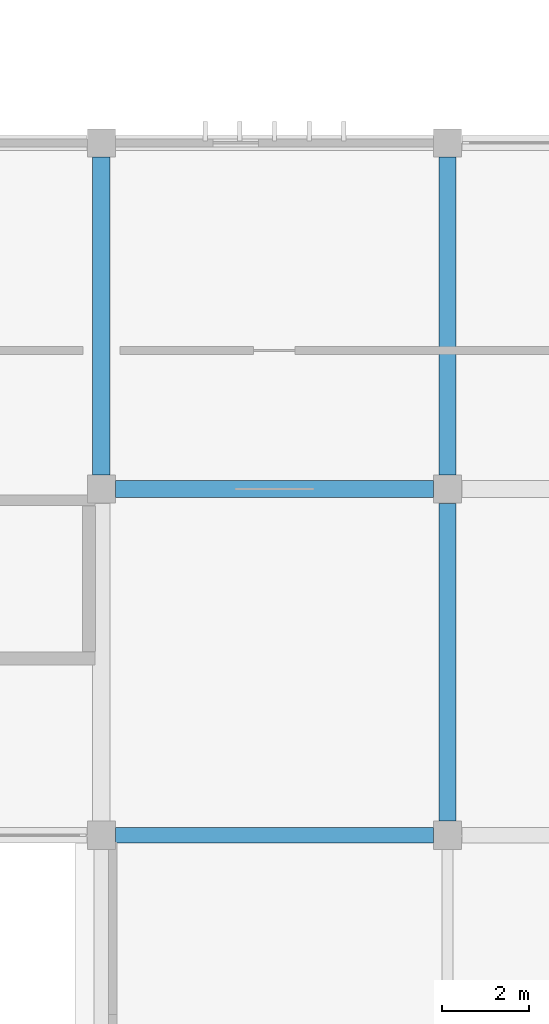
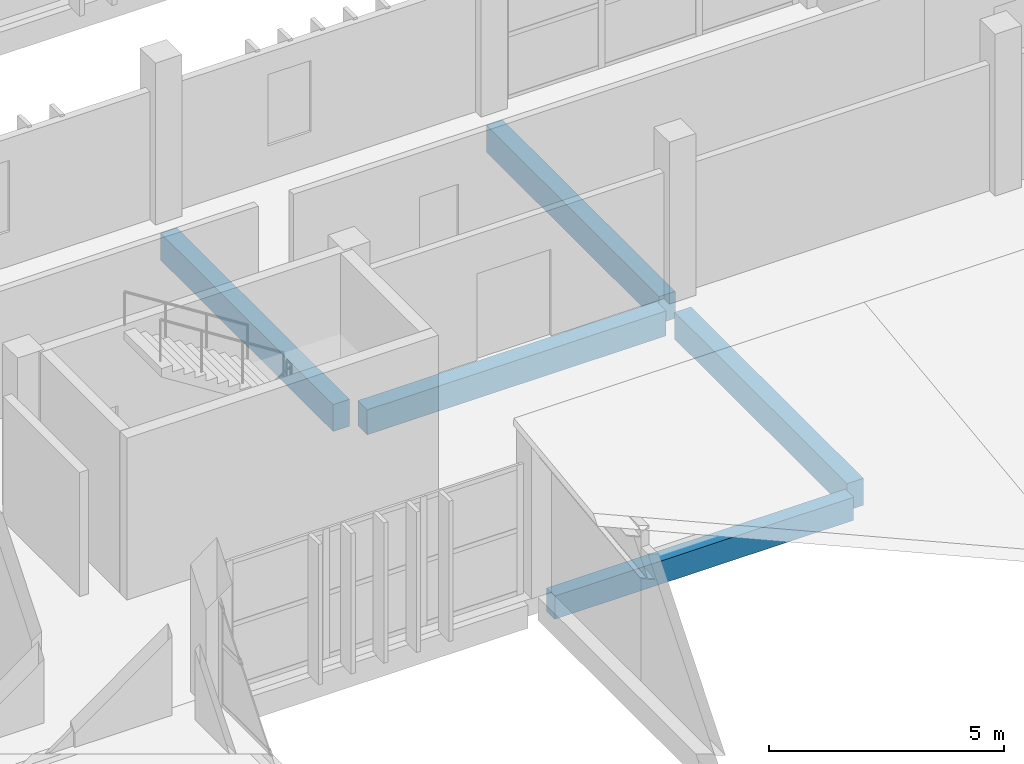
# One storey, part 45 of 83: 5 beams.
"""IFC4 building model written with IfcOpenShell, lengths in metres."""

from ifc_helpers import new_model, si_unit, direction, frame, origin, origin_2d, place, context, subcontext, project, spatial, rectangle, extrude, material, material_profile, profile_set, type_object, element, save


model = new_model("IFC4")

# Units and contexts
model_context = context("Model", 3, precision=1e-05, world=origin(), true_north=direction((0.0, 1.0)))
body_context = subcontext(model_context, "Body", "Model", "MODEL_VIEW")
ifc_project = project(units=[si_unit("LENGTHUNIT", "METRE"), si_unit("AREAUNIT", "SQUARE_METRE"), si_unit("VOLUMEUNIT", "CUBIC_METRE"), si_unit("PLANEANGLEUNIT", "RADIAN"), si_unit("MASSUNIT", "GRAM", prefix="KILO")], contexts=[model_context])

# Site, building, storey
site_placement = place(None, origin())
site = spatial("IfcSite", under=ifc_project, at=site_placement, CompositionType="ELEMENT")
building_placement = place(site_placement, origin())
building = spatial("IfcBuilding", under=site, at=building_placement, Name="Jelvoka-Kovrelna Polytechnic", CompositionType="ELEMENT")
storey_placement = place(building_placement, frame((0.0, 0.0, 13.800048828125)))
storey = spatial("IfcBuildingStorey", under=building, at=storey_placement, Name="L04", CompositionType="ELEMENT", Elevation=13.800048828125)

# Beams
ifc_material_1 = material(Name="Concrete C40/50", Category="concrete")
ifc_material_profile_1 = material_profile(ifc_material_1, rectangle(XDim=0.39990234375, YDim=0.64990234375, at=origin_2d()), Name="RC 400x650")
ifc_profile_set_1 = profile_set([ifc_material_profile_1], Name="Concrete C40/50")
beam_type_1 = type_object("IfcBeamType", Name="Beam_RC_400x650", PredefinedType="BEAM", material=ifc_profile_set_1)
beam_1_placement = place(storey_placement, frame((160.330078125, 40.0, -0.574951171875), z_axis=(1.0, 0.0, 0.0), x_axis=(0.0, 1.0, 0.0)))
element("IfcBeam", 1, at=beam_1_placement, inside=storey, type_object=beam_type_1, Name="L04 beam 1224", PredefinedType="BEAM", context=body_context, shape_type="SweptSolid", body=[
    extrude(rectangle(XDim=0.39990234375, YDim=0.64990234375, at=origin_2d()), origin(), (0.0, 0.0, 1.0), 7.33984375),
])
ifc_material_2 = material(Name="Concrete C40/50", Category="concrete")
ifc_material_profile_2 = material_profile(ifc_material_2, rectangle(XDim=0.39990234375, YDim=0.699951171875, at=origin_2d()), Name="RC 400x700")
ifc_profile_set_2 = profile_set([ifc_material_profile_2], Name="Concrete C40/50")
beam_type_2 = type_object("IfcBeamType", Name="Beam_RC_400x700", PredefinedType="BEAM", material=ifc_profile_set_2)
for number, where, z_axis, x_axis, name in (
    (2, (160.0, 40.330078125, -0.60009765625), (0.0, 1.0, 0.0), (-1.0, 0.0, 0.0), "L04 beam 1247"),
    (3, (168.0, 32.330078125, -0.60009765625), (0.0, 1.0, 0.0), (-1.0, 0.0, 0.0), "L04 beam 1248"),
    (4, (168.0, 40.330078125, -0.60009765625), (0.0, 1.0, 0.0), (-1.0, 0.0, 0.0), "L04 beam 1249"),
):
    element("IfcBeam", number, at=place(storey_placement, frame(where, z_axis=z_axis, x_axis=x_axis)), inside=storey, type_object=beam_type_2, Name=name, PredefinedType="BEAM", context=body_context, shape_type="SweptSolid", body=[
        extrude(rectangle(XDim=0.39990234375, YDim=0.699951171875, at=origin_2d()), origin(), (0.0, 0.0, 1.0), 7.33984375),
    ])
ifc_material_3 = material(Name="Concrete C40/50", Category="concrete")
ifc_material_profile_3 = material_profile(ifc_material_3, rectangle(XDim=0.35009765625, YDim=0.60009765625, at=origin_2d()), Name="RC 350x600")
ifc_profile_set_3 = profile_set([ifc_material_profile_3], Name="Concrete C40/50")
beam_type_3 = type_object("IfcBeamType", Name="Spandrel_RC_350x600", PredefinedType="SPANDREL", material=ifc_profile_set_3)
beam_2_placement = place(storey_placement, frame((160.330078125, 32.0, -0.550048828125), z_axis=(1.0, 0.0, 0.0), x_axis=(0.0, 1.0, 0.0)))
element("IfcBeam", 5, at=beam_2_placement, inside=storey, type_object=beam_type_3, Name="L04 beam 1216", PredefinedType="SPANDREL", context=body_context, shape_type="SweptSolid", body=[
    extrude(rectangle(XDim=0.35009765625, YDim=0.60009765625, at=origin_2d()), origin(), (0.0, 0.0, 1.0), 7.33984375),
])

save(model, "model.ifc")
